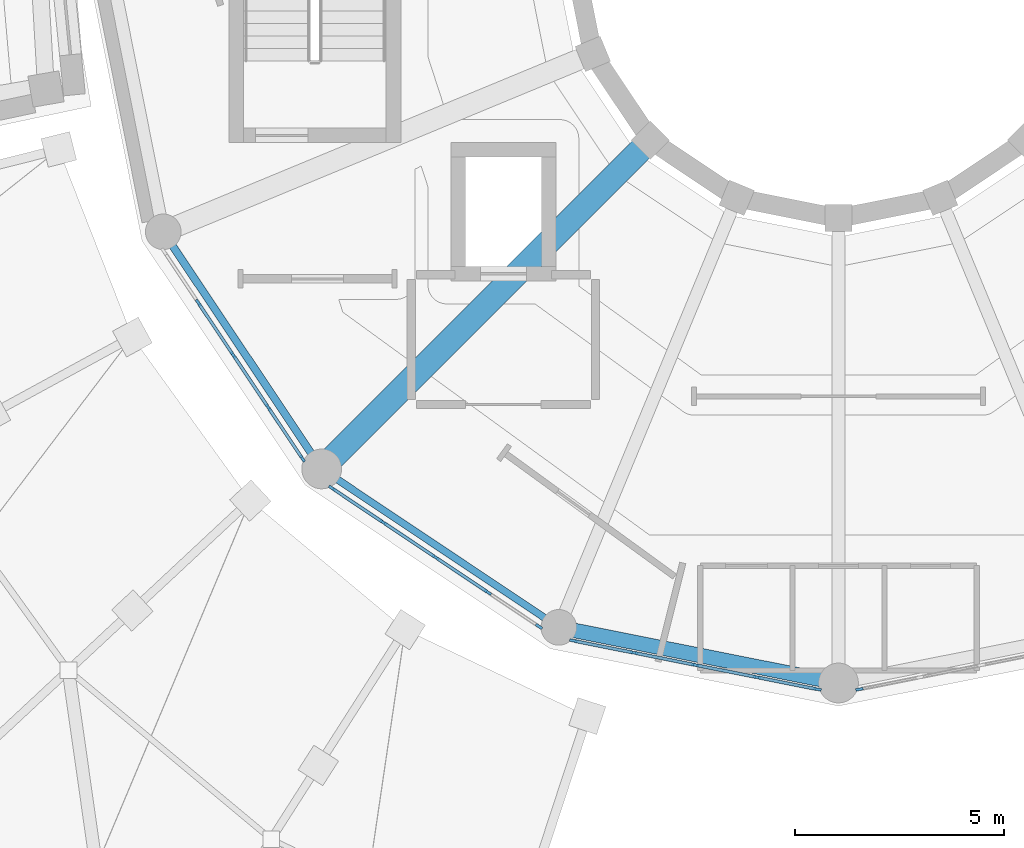
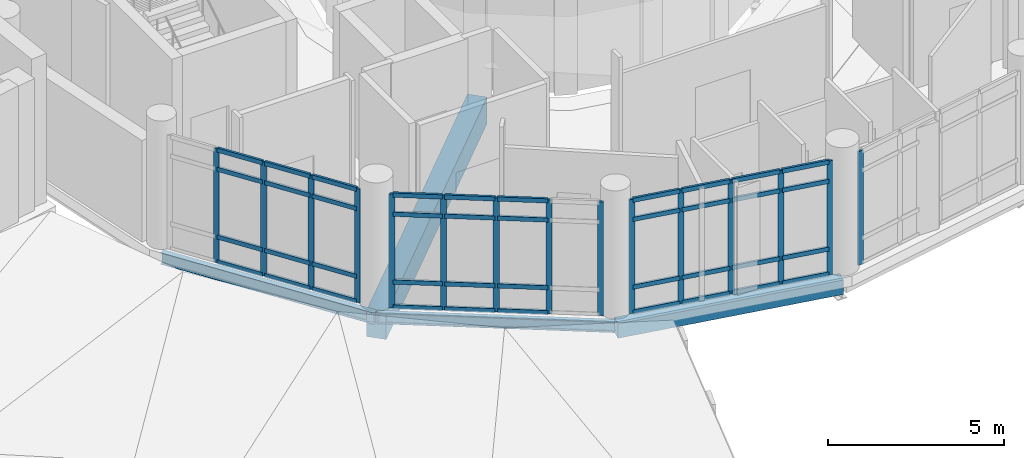
# One storey, part 8 of 75: 55 members, 4 beams, 4 elements without a shape of their own.
"""IFC4 building model written with IfcOpenShell, lengths in metres."""

import ifcopenshell
import ifcopenshell.guid

model = None  # the IFC model being written
_history = None  # IfcOwnerHistory: only IFC2X3 demands one
_inside = {}  # id of a spatial element -> (the spatial element, [elements in it])
_under = {}  # id of a project, library or spatial element -> (it, [spatial elements below it])
_declared = {}  # id of a project -> (the project, [libraries it declares])
_typed = {}  # id of a type object -> (the type object, [elements of that type])
_made_of = {}  # id of a material, layer set ... -> (it, [elements and type objects made of it])


def new_model(schema):
    """Start an empty IFC model of exactly this schema.

    Asked for "IFC4X3", IfcOpenShell would pick the latest addendum, in which some entities
    have other attributes; the version numbers below select the first issue.
    IFC2X3 requires an IfcOwnerHistory on every rooted entity: one is made here for all.
    """
    global model, _history
    if schema == "IFC4X3":
        model = ifcopenshell.file(schema_version=(4, 3, 0, 0))
    else:
        model = ifcopenshell.file(schema=schema)
    _inside.clear()
    _under.clear()
    _declared.clear()
    _typed.clear()
    _made_of.clear()
    _history = None
    if model.schema == "IFC2X3":
        org = make("IfcOrganization", Name="unknown")
        user = make(
            "IfcPersonAndOrganization",
            ThePerson=make("IfcPerson", FamilyName="unknown"),
            TheOrganization=org,
        )
        app = make(
            "IfcApplication",
            ApplicationDeveloper=org,
            Version="unknown",
            ApplicationFullName="unknown",
            ApplicationIdentifier="unknown",
        )
        _history = make(
            "IfcOwnerHistory",
            OwningUser=user,
            OwningApplication=app,
            ChangeAction="ADDED",
            CreationDate=0,
        )
    return model


def make(cls, **values):
    """One entity of the class cls with the attributes given. An attribute that is None is left unset."""
    return model.create_entity(
        cls, **{name: value for name, value in values.items() if value is not None}
    )


def rooted(cls, **values):
    """An entity with a GlobalId (a new one), such as an element, a storey or a relation."""
    return make(cls, GlobalId=ifcopenshell.guid.new(), OwnerHistory=_history, **values)


def si_unit(unit_type, name, prefix=None):
    """IfcSIUnit, for example si_unit("LENGTHUNIT", "METRE", prefix="MILLI")."""
    return make("IfcSIUnit", UnitType=unit_type, Prefix=prefix, Name=name)


def assignment(units):
    """IfcUnitAssignment: the units of a project."""
    return None if units is None else make("IfcUnitAssignment", Units=units)


def point(xyz):
    """IfcCartesianPoint."""
    return None if xyz is None else make("IfcCartesianPoint", Coordinates=xyz)


def direction(xyz):
    """IfcDirection."""
    return None if xyz is None else make("IfcDirection", DirectionRatios=xyz)


def frame(location, z_axis=None, x_axis=None):
    """IfcAxis2Placement3D, a coordinate frame: its origin and axes. An axis left out is left unset."""
    return make(
        "IfcAxis2Placement3D",
        Location=point(location),
        Axis=direction(z_axis),
        RefDirection=direction(x_axis),
    )


def frame_2d(location, x_axis=None):
    """IfcAxis2Placement2D, a coordinate frame in the plane: its origin and x axis."""
    return make(
        "IfcAxis2Placement2D", Location=point(location), RefDirection=direction(x_axis)
    )


def origin():
    """The frame at (0, 0, 0) with its axes left unset."""
    return frame((0.0, 0.0, 0.0))


def origin_2d():
    """The frame at (0, 0) in the plane with its x axis left unset."""
    return frame_2d((0.0, 0.0))


def place(relative_to, where):
    """IfcLocalPlacement: puts the frame where relative to a parent placement (None: the world)."""
    return make(
        "IfcLocalPlacement", PlacementRelTo=relative_to, RelativePlacement=where
    )


def context(
    kind, dimensions, precision=None, world=None, true_north=None, identifier=None
):
    """IfcGeometricRepresentationContext, for example the 3D "Model" context."""
    return make(
        "IfcGeometricRepresentationContext",
        ContextIdentifier=identifier,
        ContextType=kind,
        CoordinateSpaceDimension=dimensions,
        Precision=precision,
        WorldCoordinateSystem=world,
        TrueNorth=true_north,
    )


def subcontext(parent, identifier, kind, view, scale=None):
    """IfcGeometricRepresentationSubContext, for example "Body" below "Model"."""
    return make(
        "IfcGeometricRepresentationSubContext",
        ContextIdentifier=identifier,
        ContextType=kind,
        ParentContext=parent,
        TargetScale=scale,
        TargetView=view,
    )


def project(units=None, contexts=None):
    """IfcProject with its units and contexts."""
    return rooted(
        "IfcProject",
        Name="project",
        RepresentationContexts=contexts,
        UnitsInContext=assignment(units),
    )


def spatial(cls, under=None, at=None, **own):
    """A site, building, storey or space (cls), placed at a placement, below another one or the project."""
    s = rooted(cls, ObjectPlacement=at, **own)
    if under is not None:
        _under.setdefault(under.id(), (under, []))[1].append(s)
    return s


def profile(cls, at=None, kind="AREA", **sizes):
    """A parametric profile (cls). Its sizes go by their IFC names, for example OverallWidth=200.0."""
    return make(cls, ProfileType=kind, Position=at, **sizes)


def rectangle(**sizes):
    """IfcRectangleProfileDef."""
    return profile("IfcRectangleProfileDef", **sizes)


def i_section(**sizes):
    """IfcIShapeProfileDef."""
    return profile("IfcIShapeProfileDef", **sizes)


def extrude(swept, where, along, depth):
    """IfcExtrudedAreaSolid: the profile swept, set in the frame where, extruded along a direction by depth."""
    return make(
        "IfcExtrudedAreaSolid",
        SweptArea=swept,
        Position=where,
        ExtrudedDirection=direction(along),
        Depth=depth,
    )


def shape(context_of_items, identifier, shape_type, items):
    """IfcShapeRepresentation: the items that make up one representation, for example the "Body"."""
    return make(
        "IfcShapeRepresentation",
        ContextOfItems=context_of_items,
        RepresentationIdentifier=identifier,
        RepresentationType=shape_type,
        Items=items,
    )


def material(Name=None, Category=None):
    """IfcMaterial."""
    return make("IfcMaterial", Name=Name, Category=Category)


def material_profile(
    of_material, cross_section, Name=None, Category=None, Priority=None
):
    """IfcMaterialProfile: a cross section and its material."""
    return make(
        "IfcMaterialProfile",
        Name=Name,
        Material=of_material,
        Profile=cross_section,
        Priority=Priority,
        Category=Category,
    )


def profile_set(profiles, Name=None, composite=None):
    """IfcMaterialProfileSet."""
    return make(
        "IfcMaterialProfileSet",
        Name=Name,
        MaterialProfiles=profiles,
        CompositeProfile=composite,
    )


def made_of(thing, what):
    """Note that an element or type object is made of a material, layer set ...; save() writes the relation."""
    if what is not None:
        _made_of.setdefault(what.id(), (what, []))[1].append(thing)
    return thing


def type_object(cls, material=None, **own):
    """A type object (cls), such as IfcWallType, which elements share."""
    return made_of(rooted(cls, **own), material)


def element(
    cls,
    number,
    at=None,
    inside=None,
    cuts=None,
    type_object=None,
    material=None,
    context=None,
    identifier="Body",
    shape_type=None,
    held_by="IfcProductDefinitionShape",
    body=None,
    shapes=None,
    **own,
):
    """One element of the class cls, such as IfcWall. Its Tag is "e" and its number.

    at: its placement. inside: the storey or other place that contains it. cuts: it is an
    opening in that element (IfcRelVoidsElement). A single representation is given by context,
    identifier, shape_type and body (its items); several are given by shapes. held_by: the class
    of the entity that holds the representations. save() writes the other relations.
    """
    e = rooted(cls, Tag="e%d" % number, ObjectPlacement=at, **own)
    if body is not None:
        shapes = [shape(context, identifier, shape_type, body)]
    if shapes is not None:
        e.Representation = make(held_by, Representations=shapes)
    if inside is not None:
        _inside.setdefault(inside.id(), (inside, []))[1].append(e)
    if cuts is not None:
        rooted(
            "IfcRelVoidsElement", RelatingBuildingElement=cuts, RelatedOpeningElement=e
        )
    if type_object is not None:
        _typed.setdefault(type_object.id(), (type_object, []))[1].append(e)
    return made_of(e, material)


def aggregate(whole, parts):
    """IfcRelAggregates: a whole, such as a stair, and the parts it consists of."""
    return rooted("IfcRelAggregates", RelatingObject=whole, RelatedObjects=parts)


def save(model, path):
    """Write the relations noted so far, then the file.

    IfcRelAggregates (storeys below a building ...), IfcRelContainedInSpatialStructure (elements
    in a storey), IfcRelDefinesByType, IfcRelAssociatesMaterial and IfcRelDeclares: one each for
    every whole, place, type object, material and project.
    """
    for whole, parts in _under.values():
        aggregate(whole, parts)
    for where, things in _inside.values():
        rooted(
            "IfcRelContainedInSpatialStructure",
            RelatedElements=things,
            RelatingStructure=where,
        )
    for kind, things in _typed.values():
        rooted("IfcRelDefinesByType", RelatedObjects=things, RelatingType=kind)
    for what, things in _made_of.values():
        rooted("IfcRelAssociatesMaterial", RelatedObjects=things, RelatingMaterial=what)
    for by, libraries in _declared.values():
        rooted("IfcRelDeclares", RelatingContext=by, RelatedDefinitions=libraries)
    model.write(path)


model = new_model("IFC4")

# Units and contexts
model_context = context("Model", 3, precision=1e-05, world=origin(), true_north=direction((0.0, 1.0)))
body_context = subcontext(model_context, "Body", "Model", "MODEL_VIEW")
ifc_project = project(units=[si_unit("LENGTHUNIT", "METRE"), si_unit("AREAUNIT", "SQUARE_METRE"), si_unit("VOLUMEUNIT", "CUBIC_METRE"), si_unit("PLANEANGLEUNIT", "RADIAN"), si_unit("MASSUNIT", "GRAM", prefix="KILO")], contexts=[model_context])

# Site, building, storey
site_placement = place(None, origin())
site = spatial("IfcSite", under=ifc_project, at=site_placement, CompositionType="ELEMENT")
building_placement = place(site_placement, origin())
building = spatial("IfcBuilding", under=site, at=building_placement, Name="Soyqirgoq Riverine Aquarium", CompositionType="ELEMENT")
storey_placement = place(building_placement, frame((0.0, 0.0, 10.199951171875)))
storey = spatial("IfcBuildingStorey", under=building, at=storey_placement, Name="L03", CompositionType="ELEMENT", Elevation=10.199951171875)

# Curtain wall, members
ifc_material_1 = material(Name="Anodised aluminium thermally broken triple low-E glazing", Category="aluminium")
curtain_wall_type = type_object("IfcCurtainWallType", Name="CW_DrumGallery_Unitised", PredefinedType="NOTDEFINED", material=ifc_material_1)
curtain_wall_1_placement = place(storey_placement, origin())
curtain_wall_1 = element("IfcCurtainWall", 1, at=curtain_wall_1_placement, inside=storey, type_object=curtain_wall_type, Name="V1 L03 Curtain Wall 036", PredefinedType="NOTDEFINED")
ifc_material_2 = material(Name="Anodised aluminium 6063-T6", Category="aluminium")
ifc_material_profile_1 = material_profile(ifc_material_2, rectangle(XDim=0.06494140625, YDim=0.179931640625, at=origin_2d()), Name="ALU-M 65x180")
ifc_profile_set_1 = profile_set([ifc_material_profile_1], Name="Anodised aluminium 6063-T6")
member_type_1 = type_object("IfcMemberType", Name="CWMullion_65x180", PredefinedType="MULLION", material=ifc_profile_set_1)
member_1_placement = place(storey_placement, frame((40.715087890625, 48.62841796875, 0.0), z_axis=(0.0, 0.0, 1.0), x_axis=(0.831468565541, 0.555571799605, 0.0)))
member_1 = element("IfcMember", 2, at=member_1_placement, type_object=member_type_1, Name="CW-01 mullion 2", PredefinedType="MULLION", context=body_context, shape_type="SweptSolid", body=[
    extrude(rectangle(XDim=0.06494140625, YDim=0.179931640625, at=origin_2d()), origin(), (0.0, 0.0, 1.0), 3.949951171875),
])
member_2_placement = place(storey_placement, frame((41.549560546875, 47.379638671875, 0.0), z_axis=(0.0, 0.0, 1.0), x_axis=(0.831468565541, 0.555571799605, 0.0)))
member_2 = element("IfcMember", 3, at=member_2_placement, type_object=member_type_1, Name="CW-01 mullion 3", PredefinedType="MULLION", context=body_context, shape_type="SweptSolid", body=[
    extrude(rectangle(XDim=0.06494140625, YDim=0.179931640625, at=origin_2d()), origin(), (0.0, 0.0, 1.0), 3.949951171875),
])
member_3_placement = place(storey_placement, frame((42.384033203125, 46.130615234375, 0.0), z_axis=(0.0, 0.0, 1.0), x_axis=(0.831468565541, 0.555571799605, 0.0)))
member_3 = element("IfcMember", 4, at=member_3_placement, type_object=member_type_1, Name="CW-01 mullion 4", PredefinedType="MULLION", context=body_context, shape_type="SweptSolid", body=[
    extrude(rectangle(XDim=0.06494140625, YDim=0.179931640625, at=origin_2d()), origin(), (0.0, 0.0, 1.0), 3.949951171875),
])
member_4_placement = place(storey_placement, frame((43.200439453125, 44.908935546875, 0.0), z_axis=(0.0, 0.0, 1.0), x_axis=(0.831468565541, 0.555571799605, 0.0)))
member_4 = element("IfcMember", 5, at=member_4_placement, type_object=member_type_1, Name="CW-01 mullion 5", PredefinedType="MULLION", context=body_context, shape_type="SweptSolid", body=[
    extrude(rectangle(XDim=0.06494140625, YDim=0.179931640625, at=origin_2d()), origin(), (0.0, 0.0, 1.0), 3.949951171875),
])

curtain_wall_2_placement = place(storey_placement, origin())
curtain_wall_2 = element("IfcCurtainWall", 6, at=curtain_wall_2_placement, inside=storey, type_object=curtain_wall_type, Name="V1 L03 Curtain Wall 043", PredefinedType="NOTDEFINED")
member_5_placement = place(storey_placement, frame((43.908935546875, 44.200439453125, 0.0), z_axis=(0.0, 0.0, 1.0), x_axis=(0.555571799605, 0.831468565541, 0.0)))
member_5 = element("IfcMember", 7, at=member_5_placement, type_object=member_type_1, Name="CW-01 mullion 1", PredefinedType="MULLION", context=body_context, shape_type="SweptSolid", body=[
    extrude(rectangle(XDim=0.06494140625, YDim=0.179931640625, at=origin_2d()), origin(), (0.0, 0.0, 1.0), 3.949951171875),
])
member_6_placement = place(storey_placement, frame((45.130615234375, 43.384033203125, 0.0), z_axis=(0.0, 0.0, 1.0), x_axis=(0.555571799605, 0.831468565541, 0.0)))
member_6 = element("IfcMember", 8, at=member_6_placement, type_object=member_type_1, Name="CW-01 mullion 2", PredefinedType="MULLION", context=body_context, shape_type="SweptSolid", body=[
    extrude(rectangle(XDim=0.06494140625, YDim=0.179931640625, at=origin_2d()), origin(), (0.0, 0.0, 1.0), 3.949951171875),
])
member_7_placement = place(storey_placement, frame((46.379638671875, 42.549560546875, 0.0), z_axis=(0.0, 0.0, 1.0), x_axis=(0.555571799605, 0.831468565541, 0.0)))
member_7 = element("IfcMember", 9, at=member_7_placement, type_object=member_type_1, Name="CW-01 mullion 3", PredefinedType="MULLION", context=body_context, shape_type="SweptSolid", body=[
    extrude(rectangle(XDim=0.06494140625, YDim=0.179931640625, at=origin_2d()), origin(), (0.0, 0.0, 1.0), 3.949951171875),
])
member_8_placement = place(storey_placement, frame((47.62841796875, 41.715087890625, 0.0), z_axis=(0.0, 0.0, 1.0), x_axis=(0.555571799605, 0.831468565541, 0.0)))
member_8 = element("IfcMember", 10, at=member_8_placement, type_object=member_type_1, Name="CW-01 mullion 4", PredefinedType="MULLION", context=body_context, shape_type="SweptSolid", body=[
    extrude(rectangle(XDim=0.06494140625, YDim=0.179931640625, at=origin_2d()), origin(), (0.0, 0.0, 1.0), 3.949951171875),
])
member_9_placement = place(storey_placement, frame((48.850341796875, 40.898681640625, 0.0), z_axis=(0.0, 0.0, 1.0), x_axis=(0.555571799605, 0.831468565541, 0.0)))
member_9 = element("IfcMember", 11, at=member_9_placement, type_object=member_type_1, Name="CW-01 mullion 5", PredefinedType="MULLION", context=body_context, shape_type="SweptSolid", body=[
    extrude(rectangle(XDim=0.06494140625, YDim=0.179931640625, at=origin_2d()), origin(), (0.0, 0.0, 1.0), 3.949951171875),
])

curtain_wall_3_placement = place(storey_placement, origin())
curtain_wall_3 = element("IfcCurtainWall", 12, at=curtain_wall_3_placement, inside=storey, type_object=curtain_wall_type, Name="V1 L03 Curtain Wall 050", PredefinedType="NOTDEFINED")
member_10_placement = place(storey_placement, frame((49.67041015625, 40.55908203125, 0.0), z_axis=(0.0, 0.0, 1.0), x_axis=(0.195094927919, 0.980784364221, 0.0)))
member_10 = element("IfcMember", 13, at=member_10_placement, type_object=member_type_1, Name="CW-01 mullion 1", PredefinedType="MULLION", context=body_context, shape_type="SweptSolid", body=[
    extrude(rectangle(XDim=0.06494140625, YDim=0.179931640625, at=origin_2d()), origin(), (0.0, 0.0, 1.0), 3.949951171875),
])
member_11_placement = place(storey_placement, frame((51.111572265625, 40.2724609375, 0.0), z_axis=(0.0, 0.0, 1.0), x_axis=(0.195094927919, 0.980784364221, 0.0)))
member_11 = element("IfcMember", 14, at=member_11_placement, type_object=member_type_1, Name="CW-01 mullion 2", PredefinedType="MULLION", context=body_context, shape_type="SweptSolid", body=[
    extrude(rectangle(XDim=0.06494140625, YDim=0.179931640625, at=origin_2d()), origin(), (0.0, 0.0, 1.0), 3.949951171875),
])
member_12_placement = place(storey_placement, frame((52.584716796875, 39.979248046875, 0.0), z_axis=(0.0, 0.0, 1.0), x_axis=(0.195094927919, 0.980784364221, 0.0)))
member_12 = element("IfcMember", 15, at=member_12_placement, type_object=member_type_1, Name="CW-01 mullion 3", PredefinedType="MULLION", context=body_context, shape_type="SweptSolid", body=[
    extrude(rectangle(XDim=0.06494140625, YDim=0.179931640625, at=origin_2d()), origin(), (0.0, 0.0, 1.0), 3.949951171875),
])
member_13_placement = place(storey_placement, frame((54.057861328125, 39.686279296875, 0.0), z_axis=(0.0, 0.0, 1.0), x_axis=(0.195094927919, 0.980784364221, 0.0)))
member_13 = element("IfcMember", 16, at=member_13_placement, type_object=member_type_1, Name="CW-01 mullion 4", PredefinedType="MULLION", context=body_context, shape_type="SweptSolid", body=[
    extrude(rectangle(XDim=0.06494140625, YDim=0.179931640625, at=origin_2d()), origin(), (0.0, 0.0, 1.0), 3.949951171875),
])
member_14_placement = place(storey_placement, frame((55.4990234375, 39.399658203125, 0.0), z_axis=(0.0, 0.0, 1.0), x_axis=(0.195094927919, 0.980784364221, 0.0)))
member_14 = element("IfcMember", 17, at=member_14_placement, type_object=member_type_1, Name="CW-01 mullion 5", PredefinedType="MULLION", context=body_context, shape_type="SweptSolid", body=[
    extrude(rectangle(XDim=0.06494140625, YDim=0.179931640625, at=origin_2d()), origin(), (0.0, 0.0, 1.0), 3.949951171875),
])

# Curtain wall, member
curtain_wall_4_placement = place(storey_placement, origin())
curtain_wall_4 = element("IfcCurtainWall", 18, at=curtain_wall_4_placement, inside=storey, type_object=curtain_wall_type, Name="V1 L03 Curtain Wall 057", PredefinedType="NOTDEFINED")
member_15_placement = place(storey_placement, frame((56.5009765625, 39.399658203125, 0.0), z_axis=(0.0, 0.0, 1.0), x_axis=(-0.195094927919, 0.980784364221, 0.0)))
member_15 = element("IfcMember", 19, at=member_15_placement, type_object=member_type_1, Name="CW-01 mullion 1", PredefinedType="MULLION", context=body_context, shape_type="SweptSolid", body=[
    extrude(rectangle(XDim=0.06494140625, YDim=0.179931640625, at=origin_2d()), origin(), (0.0, 0.0, 1.0), 3.949951171875),
])
aggregate(curtain_wall_4, [member_15])

# Member
ifc_material_3 = material(Name="Anodised aluminium 6063-T6", Category="aluminium")
ifc_material_profile_2 = material_profile(ifc_material_3, rectangle(XDim=0.074951171875, YDim=0.14990234375, at=origin_2d()), Name="ALU-T 75x150")
ifc_profile_set_2 = profile_set([ifc_material_profile_2], Name="Anodised aluminium 6063-T6")
member_type_2 = type_object("IfcMemberType", Name="CWTransom_75x150", PredefinedType="USERDEFINED", material=ifc_profile_set_2)
member_16_placement = place(storey_placement, frame((40.733154296875, 48.601318359375, 0.03759765625), z_axis=(0.55556245102, -0.831474812016, 0.0), x_axis=(0.831474812016, 0.55556245102, 0.0)))
member_16 = element("IfcMember", 20, at=member_16_placement, type_object=member_type_2, Name="CW-01 transom 2.1", ObjectType="TRANSOM", PredefinedType="USERDEFINED", context=body_context, shape_type="SweptSolid", body=[
    extrude(rectangle(XDim=0.074951171875, YDim=0.14990234375, at=origin_2d()), origin(), (0.0, 0.0, 1.0), 1.43701171875),
])

member_17_placement = place(storey_placement, frame((40.733154296875, 48.601318359375, 0.900146484375), z_axis=(0.55556245102, -0.831474812016, 0.0), x_axis=(0.831474812016, 0.55556245102, 0.0)))
member_17 = element("IfcMember", 21, at=member_17_placement, type_object=member_type_2, Name="CW-01 transom 2.2", ObjectType="TRANSOM", PredefinedType="USERDEFINED", context=body_context, shape_type="SweptSolid", body=[
    extrude(rectangle(XDim=0.074951171875, YDim=0.14990234375, at=origin_2d()), origin(), (0.0, 0.0, 1.0), 1.43701171875),
])

member_18_placement = place(storey_placement, frame((40.733154296875, 48.601318359375, 3.25), z_axis=(0.55556245102, -0.831474812016, 0.0), x_axis=(0.831474812016, 0.55556245102, 0.0)))
member_18 = element("IfcMember", 22, at=member_18_placement, type_object=member_type_2, Name="CW-01 transom 2.3", ObjectType="TRANSOM", PredefinedType="USERDEFINED", context=body_context, shape_type="SweptSolid", body=[
    extrude(rectangle(XDim=0.074951171875, YDim=0.14990234375, at=origin_2d()), origin(), (0.0, 0.0, 1.0), 1.43701171875),
])

member_19_placement = place(storey_placement, frame((40.733154296875, 48.601318359375, 3.91259765625), z_axis=(0.55556245102, -0.831474812016, 0.0), x_axis=(0.831474812016, 0.55556245102, 0.0)))
member_19 = element("IfcMember", 23, at=member_19_placement, type_object=member_type_2, Name="CW-01 transom 2.4", ObjectType="TRANSOM", PredefinedType="USERDEFINED", context=body_context, shape_type="SweptSolid", body=[
    extrude(rectangle(XDim=0.074951171875, YDim=0.14990234375, at=origin_2d()), origin(), (0.0, 0.0, 1.0), 1.43701171875),
])

member_20_placement = place(storey_placement, frame((41.567626953125, 47.3525390625, 0.03759765625), z_axis=(0.55556245102, -0.831474812016, 0.0), x_axis=(0.831474812016, 0.55556245102, 0.0)))
member_20 = element("IfcMember", 24, at=member_20_placement, type_object=member_type_2, Name="CW-01 transom 3.1", ObjectType="TRANSOM", PredefinedType="USERDEFINED", context=body_context, shape_type="SweptSolid", body=[
    extrude(rectangle(XDim=0.074951171875, YDim=0.14990234375, at=origin_2d()), origin(), (0.0, 0.0, 1.0), 1.43701171875),
])

member_21_placement = place(storey_placement, frame((41.567626953125, 47.3525390625, 0.900146484375), z_axis=(0.55556245102, -0.831474812016, 0.0), x_axis=(0.831474812016, 0.55556245102, 0.0)))
member_21 = element("IfcMember", 25, at=member_21_placement, type_object=member_type_2, Name="CW-01 transom 3.2", ObjectType="TRANSOM", PredefinedType="USERDEFINED", context=body_context, shape_type="SweptSolid", body=[
    extrude(rectangle(XDim=0.074951171875, YDim=0.14990234375, at=origin_2d()), origin(), (0.0, 0.0, 1.0), 1.43701171875),
])

member_22_placement = place(storey_placement, frame((41.567626953125, 47.3525390625, 3.25), z_axis=(0.55556245102, -0.831474812016, 0.0), x_axis=(0.831474812016, 0.55556245102, 0.0)))
member_22 = element("IfcMember", 26, at=member_22_placement, type_object=member_type_2, Name="CW-01 transom 3.3", ObjectType="TRANSOM", PredefinedType="USERDEFINED", context=body_context, shape_type="SweptSolid", body=[
    extrude(rectangle(XDim=0.074951171875, YDim=0.14990234375, at=origin_2d()), origin(), (0.0, 0.0, 1.0), 1.43701171875),
])

member_23_placement = place(storey_placement, frame((41.567626953125, 47.3525390625, 3.91259765625), z_axis=(0.55556245102, -0.831474812016, 0.0), x_axis=(0.831474812016, 0.55556245102, 0.0)))
member_23 = element("IfcMember", 27, at=member_23_placement, type_object=member_type_2, Name="CW-01 transom 3.4", ObjectType="TRANSOM", PredefinedType="USERDEFINED", context=body_context, shape_type="SweptSolid", body=[
    extrude(rectangle(XDim=0.074951171875, YDim=0.14990234375, at=origin_2d()), origin(), (0.0, 0.0, 1.0), 1.43701171875),
])

member_24_placement = place(storey_placement, frame((42.402099609375, 46.103759765625, 0.03759765625), z_axis=(0.555502146192, -0.831515102434, 0.0), x_axis=(0.831515102434, 0.555502146192, 0.0)))
member_24 = element("IfcMember", 28, at=member_24_placement, type_object=member_type_2, Name="CW-01 transom 4.1", ObjectType="TRANSOM", PredefinedType="USERDEFINED", context=body_context, shape_type="SweptSolid", body=[
    extrude(rectangle(XDim=0.074951171875, YDim=0.14990234375, at=origin_2d()), origin(), (0.0, 0.0, 1.0), 1.404541015625),
])

member_25_placement = place(storey_placement, frame((42.402099609375, 46.103759765625, 0.900146484375), z_axis=(0.555502146192, -0.831515102434, 0.0), x_axis=(0.831515102434, 0.555502146192, 0.0)))
member_25 = element("IfcMember", 29, at=member_25_placement, type_object=member_type_2, Name="CW-01 transom 4.2", ObjectType="TRANSOM", PredefinedType="USERDEFINED", context=body_context, shape_type="SweptSolid", body=[
    extrude(rectangle(XDim=0.074951171875, YDim=0.14990234375, at=origin_2d()), origin(), (0.0, 0.0, 1.0), 1.404541015625),
])

member_26_placement = place(storey_placement, frame((42.402099609375, 46.103759765625, 3.25), z_axis=(0.555502146192, -0.831515102434, 0.0), x_axis=(0.831515102434, 0.555502146192, 0.0)))
member_26 = element("IfcMember", 30, at=member_26_placement, type_object=member_type_2, Name="CW-01 transom 4.3", ObjectType="TRANSOM", PredefinedType="USERDEFINED", context=body_context, shape_type="SweptSolid", body=[
    extrude(rectangle(XDim=0.074951171875, YDim=0.14990234375, at=origin_2d()), origin(), (0.0, 0.0, 1.0), 1.404541015625),
])

member_27_placement = place(storey_placement, frame((42.402099609375, 46.103759765625, 3.91259765625), z_axis=(0.555502146192, -0.831515102434, 0.0), x_axis=(0.831515102434, 0.555502146192, 0.0)))
member_27 = element("IfcMember", 31, at=member_27_placement, type_object=member_type_2, Name="CW-01 transom 4.4", ObjectType="TRANSOM", PredefinedType="USERDEFINED", context=body_context, shape_type="SweptSolid", body=[
    extrude(rectangle(XDim=0.074951171875, YDim=0.14990234375, at=origin_2d()), origin(), (0.0, 0.0, 1.0), 1.404541015625),
])

aggregate(curtain_wall_1, [member_1, member_2, member_3, member_4, member_16, member_17, member_18, member_19, member_20, member_21, member_22, member_23, member_24, member_25, member_26, member_27])

member_28_placement = place(storey_placement, frame((43.935791015625, 44.182373046875, 0.03759765625), z_axis=(0.831515102434, -0.555502146192, 0.0), x_axis=(0.555502146192, 0.831515102434, 0.0)))
member_28 = element("IfcMember", 32, at=member_28_placement, type_object=member_type_2, Name="CW-01 transom 1.1", ObjectType="TRANSOM", PredefinedType="USERDEFINED", context=body_context, shape_type="SweptSolid", body=[
    extrude(rectangle(XDim=0.074951171875, YDim=0.14990234375, at=origin_2d()), origin(), (0.0, 0.0, 1.0), 1.404541015625),
])

member_29_placement = place(storey_placement, frame((43.935791015625, 44.182373046875, 0.900146484375), z_axis=(0.831515102434, -0.555502146192, 0.0), x_axis=(0.555502146192, 0.831515102434, 0.0)))
member_29 = element("IfcMember", 33, at=member_29_placement, type_object=member_type_2, Name="CW-01 transom 1.2", ObjectType="TRANSOM", PredefinedType="USERDEFINED", context=body_context, shape_type="SweptSolid", body=[
    extrude(rectangle(XDim=0.074951171875, YDim=0.14990234375, at=origin_2d()), origin(), (0.0, 0.0, 1.0), 1.404541015625),
])

member_30_placement = place(storey_placement, frame((43.935791015625, 44.182373046875, 3.25), z_axis=(0.831515102434, -0.555502146192, 0.0), x_axis=(0.555502146192, 0.831515102434, 0.0)))
member_30 = element("IfcMember", 34, at=member_30_placement, type_object=member_type_2, Name="CW-01 transom 1.3", ObjectType="TRANSOM", PredefinedType="USERDEFINED", context=body_context, shape_type="SweptSolid", body=[
    extrude(rectangle(XDim=0.074951171875, YDim=0.14990234375, at=origin_2d()), origin(), (0.0, 0.0, 1.0), 1.404541015625),
])

member_31_placement = place(storey_placement, frame((43.935791015625, 44.182373046875, 3.91259765625), z_axis=(0.831515102434, -0.555502146192, 0.0), x_axis=(0.555502146192, 0.831515102434, 0.0)))
member_31 = element("IfcMember", 35, at=member_31_placement, type_object=member_type_2, Name="CW-01 transom 1.4", ObjectType="TRANSOM", PredefinedType="USERDEFINED", context=body_context, shape_type="SweptSolid", body=[
    extrude(rectangle(XDim=0.074951171875, YDim=0.14990234375, at=origin_2d()), origin(), (0.0, 0.0, 1.0), 1.404541015625),
])

member_32_placement = place(storey_placement, frame((45.15771484375, 43.365966796875, 0.03759765625), z_axis=(0.831474812016, -0.55556245102, 0.0), x_axis=(0.55556245102, 0.831474812016, 0.0)))
member_32 = element("IfcMember", 36, at=member_32_placement, type_object=member_type_2, Name="CW-01 transom 2.1", ObjectType="TRANSOM", PredefinedType="USERDEFINED", context=body_context, shape_type="SweptSolid", body=[
    extrude(rectangle(XDim=0.074951171875, YDim=0.14990234375, at=origin_2d()), origin(), (0.0, 0.0, 1.0), 1.43701171875),
])

member_33_placement = place(storey_placement, frame((45.15771484375, 43.365966796875, 0.900146484375), z_axis=(0.831474812016, -0.55556245102, 0.0), x_axis=(0.55556245102, 0.831474812016, 0.0)))
member_33 = element("IfcMember", 37, at=member_33_placement, type_object=member_type_2, Name="CW-01 transom 2.2", ObjectType="TRANSOM", PredefinedType="USERDEFINED", context=body_context, shape_type="SweptSolid", body=[
    extrude(rectangle(XDim=0.074951171875, YDim=0.14990234375, at=origin_2d()), origin(), (0.0, 0.0, 1.0), 1.43701171875),
])

member_34_placement = place(storey_placement, frame((45.15771484375, 43.365966796875, 3.25), z_axis=(0.831474812016, -0.55556245102, 0.0), x_axis=(0.55556245102, 0.831474812016, 0.0)))
member_34 = element("IfcMember", 38, at=member_34_placement, type_object=member_type_2, Name="CW-01 transom 2.3", ObjectType="TRANSOM", PredefinedType="USERDEFINED", context=body_context, shape_type="SweptSolid", body=[
    extrude(rectangle(XDim=0.074951171875, YDim=0.14990234375, at=origin_2d()), origin(), (0.0, 0.0, 1.0), 1.43701171875),
])

member_35_placement = place(storey_placement, frame((45.15771484375, 43.365966796875, 3.91259765625), z_axis=(0.831474812016, -0.55556245102, 0.0), x_axis=(0.55556245102, 0.831474812016, 0.0)))
member_35 = element("IfcMember", 39, at=member_35_placement, type_object=member_type_2, Name="CW-01 transom 2.4", ObjectType="TRANSOM", PredefinedType="USERDEFINED", context=body_context, shape_type="SweptSolid", body=[
    extrude(rectangle(XDim=0.074951171875, YDim=0.14990234375, at=origin_2d()), origin(), (0.0, 0.0, 1.0), 1.43701171875),
])

member_36_placement = place(storey_placement, frame((46.406494140625, 42.531494140625, 0.03759765625), z_axis=(0.831474812016, -0.55556245102, 0.0), x_axis=(0.55556245102, 0.831474812016, 0.0)))
member_36 = element("IfcMember", 40, at=member_36_placement, type_object=member_type_2, Name="CW-01 transom 3.1", ObjectType="TRANSOM", PredefinedType="USERDEFINED", context=body_context, shape_type="SweptSolid", body=[
    extrude(rectangle(XDim=0.074951171875, YDim=0.14990234375, at=origin_2d()), origin(), (0.0, 0.0, 1.0), 1.43701171875),
])

member_37_placement = place(storey_placement, frame((46.406494140625, 42.531494140625, 0.900146484375), z_axis=(0.831474812016, -0.55556245102, 0.0), x_axis=(0.55556245102, 0.831474812016, 0.0)))
member_37 = element("IfcMember", 41, at=member_37_placement, type_object=member_type_2, Name="CW-01 transom 3.2", ObjectType="TRANSOM", PredefinedType="USERDEFINED", context=body_context, shape_type="SweptSolid", body=[
    extrude(rectangle(XDim=0.074951171875, YDim=0.14990234375, at=origin_2d()), origin(), (0.0, 0.0, 1.0), 1.43701171875),
])

member_38_placement = place(storey_placement, frame((46.406494140625, 42.531494140625, 3.25), z_axis=(0.831474812016, -0.55556245102, 0.0), x_axis=(0.55556245102, 0.831474812016, 0.0)))
member_38 = element("IfcMember", 42, at=member_38_placement, type_object=member_type_2, Name="CW-01 transom 3.3", ObjectType="TRANSOM", PredefinedType="USERDEFINED", context=body_context, shape_type="SweptSolid", body=[
    extrude(rectangle(XDim=0.074951171875, YDim=0.14990234375, at=origin_2d()), origin(), (0.0, 0.0, 1.0), 1.43701171875),
])

member_39_placement = place(storey_placement, frame((46.406494140625, 42.531494140625, 3.91259765625), z_axis=(0.831474812016, -0.55556245102, 0.0), x_axis=(0.55556245102, 0.831474812016, 0.0)))
member_39 = element("IfcMember", 43, at=member_39_placement, type_object=member_type_2, Name="CW-01 transom 3.4", ObjectType="TRANSOM", PredefinedType="USERDEFINED", context=body_context, shape_type="SweptSolid", body=[
    extrude(rectangle(XDim=0.074951171875, YDim=0.14990234375, at=origin_2d()), origin(), (0.0, 0.0, 1.0), 1.43701171875),
])

aggregate(curtain_wall_2, [member_5, member_6, member_7, member_8, member_9, member_28, member_29, member_30, member_31, member_32, member_33, member_34, member_35, member_36, member_37, member_38, member_39])

member_40_placement = place(storey_placement, frame((49.7021484375, 40.552734375, 0.03759765625), z_axis=(0.98080065826, -0.195012996379, 0.0), x_axis=(0.195012996379, 0.98080065826, 0.0)))
member_40 = element("IfcMember", 44, at=member_40_placement, type_object=member_type_2, Name="CW-01 transom 1.1", ObjectType="TRANSOM", PredefinedType="USERDEFINED", context=body_context, shape_type="SweptSolid", body=[
    extrude(rectangle(XDim=0.074951171875, YDim=0.14990234375, at=origin_2d()), origin(), (0.0, 0.0, 1.0), 1.404541015625),
])

member_41_placement = place(storey_placement, frame((49.7021484375, 40.552734375, 0.900146484375), z_axis=(0.98080065826, -0.195012996379, 0.0), x_axis=(0.195012996379, 0.98080065826, 0.0)))
member_41 = element("IfcMember", 45, at=member_41_placement, type_object=member_type_2, Name="CW-01 transom 1.2", ObjectType="TRANSOM", PredefinedType="USERDEFINED", context=body_context, shape_type="SweptSolid", body=[
    extrude(rectangle(XDim=0.074951171875, YDim=0.14990234375, at=origin_2d()), origin(), (0.0, 0.0, 1.0), 1.404541015625),
])

member_42_placement = place(storey_placement, frame((49.7021484375, 40.552734375, 3.25), z_axis=(0.98080065826, -0.195012996379, 0.0), x_axis=(0.195012996379, 0.98080065826, 0.0)))
member_42 = element("IfcMember", 46, at=member_42_placement, type_object=member_type_2, Name="CW-01 transom 1.3", ObjectType="TRANSOM", PredefinedType="USERDEFINED", context=body_context, shape_type="SweptSolid", body=[
    extrude(rectangle(XDim=0.074951171875, YDim=0.14990234375, at=origin_2d()), origin(), (0.0, 0.0, 1.0), 1.404541015625),
])

member_43_placement = place(storey_placement, frame((49.7021484375, 40.552734375, 3.91259765625), z_axis=(0.98080065826, -0.195012996379, 0.0), x_axis=(0.195012996379, 0.98080065826, 0.0)))
member_43 = element("IfcMember", 47, at=member_43_placement, type_object=member_type_2, Name="CW-01 transom 1.4", ObjectType="TRANSOM", PredefinedType="USERDEFINED", context=body_context, shape_type="SweptSolid", body=[
    extrude(rectangle(XDim=0.074951171875, YDim=0.14990234375, at=origin_2d()), origin(), (0.0, 0.0, 1.0), 1.404541015625),
])

member_44_placement = place(storey_placement, frame((51.1435546875, 40.26611328125, 0.03759765625), z_axis=(0.980756730309, -0.195233798185, 0.0), x_axis=(0.195233798185, 0.980756730309, 0.0)))
member_44 = element("IfcMember", 48, at=member_44_placement, type_object=member_type_2, Name="CW-01 transom 2.1", ObjectType="TRANSOM", PredefinedType="USERDEFINED", context=body_context, shape_type="SweptSolid", body=[
    extrude(rectangle(XDim=0.074951171875, YDim=0.14990234375, at=origin_2d()), origin(), (0.0, 0.0, 1.0), 1.436767578125),
])

member_45_placement = place(storey_placement, frame((51.1435546875, 40.26611328125, 0.900146484375), z_axis=(0.980756730309, -0.195233798185, 0.0), x_axis=(0.195233798185, 0.980756730309, 0.0)))
member_45 = element("IfcMember", 49, at=member_45_placement, type_object=member_type_2, Name="CW-01 transom 2.2", ObjectType="TRANSOM", PredefinedType="USERDEFINED", context=body_context, shape_type="SweptSolid", body=[
    extrude(rectangle(XDim=0.074951171875, YDim=0.14990234375, at=origin_2d()), origin(), (0.0, 0.0, 1.0), 1.436767578125),
])

member_46_placement = place(storey_placement, frame((51.1435546875, 40.26611328125, 3.25), z_axis=(0.980756730309, -0.195233798185, 0.0), x_axis=(0.195233798185, 0.980756730309, 0.0)))
member_46 = element("IfcMember", 50, at=member_46_placement, type_object=member_type_2, Name="CW-01 transom 2.3", ObjectType="TRANSOM", PredefinedType="USERDEFINED", context=body_context, shape_type="SweptSolid", body=[
    extrude(rectangle(XDim=0.074951171875, YDim=0.14990234375, at=origin_2d()), origin(), (0.0, 0.0, 1.0), 1.436767578125),
])

member_47_placement = place(storey_placement, frame((51.1435546875, 40.26611328125, 3.91259765625), z_axis=(0.980756730309, -0.195233798185, 0.0), x_axis=(0.195233798185, 0.980756730309, 0.0)))
member_47 = element("IfcMember", 51, at=member_47_placement, type_object=member_type_2, Name="CW-01 transom 2.4", ObjectType="TRANSOM", PredefinedType="USERDEFINED", context=body_context, shape_type="SweptSolid", body=[
    extrude(rectangle(XDim=0.074951171875, YDim=0.14990234375, at=origin_2d()), origin(), (0.0, 0.0, 1.0), 1.436767578125),
])

member_48_placement = place(storey_placement, frame((52.616455078125, 39.972900390625, 0.03759765625), z_axis=(0.980795717131, -0.195037845707, 0.0), x_axis=(0.195037845707, 0.980795717131, 0.0)))
member_48 = element("IfcMember", 52, at=member_48_placement, type_object=member_type_2, Name="CW-01 transom 3.1", ObjectType="TRANSOM", PredefinedType="USERDEFINED", context=body_context, shape_type="SweptSolid", body=[
    extrude(rectangle(XDim=0.074951171875, YDim=0.14990234375, at=origin_2d()), origin(), (0.0, 0.0, 1.0), 1.43701171875),
])

member_49_placement = place(storey_placement, frame((52.616455078125, 39.972900390625, 0.900146484375), z_axis=(0.980795717131, -0.195037845707, 0.0), x_axis=(0.195037845707, 0.980795717131, 0.0)))
member_49 = element("IfcMember", 53, at=member_49_placement, type_object=member_type_2, Name="CW-01 transom 3.2", ObjectType="TRANSOM", PredefinedType="USERDEFINED", context=body_context, shape_type="SweptSolid", body=[
    extrude(rectangle(XDim=0.074951171875, YDim=0.14990234375, at=origin_2d()), origin(), (0.0, 0.0, 1.0), 1.43701171875),
])

member_50_placement = place(storey_placement, frame((52.616455078125, 39.972900390625, 3.25), z_axis=(0.980795717131, -0.195037845707, 0.0), x_axis=(0.195037845707, 0.980795717131, 0.0)))
member_50 = element("IfcMember", 54, at=member_50_placement, type_object=member_type_2, Name="CW-01 transom 3.3", ObjectType="TRANSOM", PredefinedType="USERDEFINED", context=body_context, shape_type="SweptSolid", body=[
    extrude(rectangle(XDim=0.074951171875, YDim=0.14990234375, at=origin_2d()), origin(), (0.0, 0.0, 1.0), 1.43701171875),
])

member_51_placement = place(storey_placement, frame((52.616455078125, 39.972900390625, 3.91259765625), z_axis=(0.980795717131, -0.195037845707, 0.0), x_axis=(0.195037845707, 0.980795717131, 0.0)))
member_51 = element("IfcMember", 55, at=member_51_placement, type_object=member_type_2, Name="CW-01 transom 3.4", ObjectType="TRANSOM", PredefinedType="USERDEFINED", context=body_context, shape_type="SweptSolid", body=[
    extrude(rectangle(XDim=0.074951171875, YDim=0.14990234375, at=origin_2d()), origin(), (0.0, 0.0, 1.0), 1.43701171875),
])

member_52_placement = place(storey_placement, frame((54.089599609375, 39.679931640625, 0.03759765625), z_axis=(0.980794046625, -0.195046246068, 0.0), x_axis=(0.195046246068, 0.980794046625, 0.0)))
member_52 = element("IfcMember", 56, at=member_52_placement, type_object=member_type_2, Name="CW-01 transom 4.1", ObjectType="TRANSOM", PredefinedType="USERDEFINED", context=body_context, shape_type="SweptSolid", body=[
    extrude(rectangle(XDim=0.074951171875, YDim=0.14990234375, at=origin_2d()), origin(), (0.0, 0.0, 1.0), 1.404296875),
])

member_53_placement = place(storey_placement, frame((54.089599609375, 39.679931640625, 0.900146484375), z_axis=(0.980794046625, -0.195046246068, 0.0), x_axis=(0.195046246068, 0.980794046625, 0.0)))
member_53 = element("IfcMember", 57, at=member_53_placement, type_object=member_type_2, Name="CW-01 transom 4.2", ObjectType="TRANSOM", PredefinedType="USERDEFINED", context=body_context, shape_type="SweptSolid", body=[
    extrude(rectangle(XDim=0.074951171875, YDim=0.14990234375, at=origin_2d()), origin(), (0.0, 0.0, 1.0), 1.404296875),
])

member_54_placement = place(storey_placement, frame((54.089599609375, 39.679931640625, 3.25), z_axis=(0.980794046625, -0.195046246068, 0.0), x_axis=(0.195046246068, 0.980794046625, 0.0)))
member_54 = element("IfcMember", 58, at=member_54_placement, type_object=member_type_2, Name="CW-01 transom 4.3", ObjectType="TRANSOM", PredefinedType="USERDEFINED", context=body_context, shape_type="SweptSolid", body=[
    extrude(rectangle(XDim=0.074951171875, YDim=0.14990234375, at=origin_2d()), origin(), (0.0, 0.0, 1.0), 1.404296875),
])

member_55_placement = place(storey_placement, frame((54.089599609375, 39.679931640625, 3.91259765625), z_axis=(0.980794046625, -0.195046246068, 0.0), x_axis=(0.195046246068, 0.980794046625, 0.0)))
member_55 = element("IfcMember", 59, at=member_55_placement, type_object=member_type_2, Name="CW-01 transom 4.4", ObjectType="TRANSOM", PredefinedType="USERDEFINED", context=body_context, shape_type="SweptSolid", body=[
    extrude(rectangle(XDim=0.074951171875, YDim=0.14990234375, at=origin_2d()), origin(), (0.0, 0.0, 1.0), 1.404296875),
])

aggregate(curtain_wall_3, [member_10, member_11, member_12, member_13, member_14, member_40, member_41, member_42, member_43, member_44, member_45, member_46, member_47, member_48, member_49, member_50, member_51, member_52, member_53, member_54, member_55])

# Beams
ifc_material_4 = material(Name="Concrete C40/50", Category="concrete")
ifc_material_profile_3 = material_profile(ifc_material_4, rectangle(XDim=0.580078125, YDim=0.919921875, at=origin_2d()), Name="RC 580x920")
ifc_profile_set_3 = profile_set([ifc_material_profile_3], Name="Concrete C40/50")
beam_type_1 = type_object("IfcBeamType", Name="Girder_RC_580x920", PredefinedType="BEAM", material=ifc_profile_set_3)
beam_1_placement = place(storey_placement, frame((51.502685546875, 52.502685546875, -0.81005859375), z_axis=(-0.707106781187, -0.707106781187, 0.0), x_axis=(0.707106781187, -0.707106781187, 0.0)))
element("IfcBeam", 60, at=beam_1_placement, inside=storey, type_object=beam_type_1, Name="V1 L03 Gallery Radial Beam 0078", PredefinedType="BEAM", context=body_context, shape_type="SweptSolid", body=[
    extrude(rectangle(XDim=0.580078125, YDim=0.919921875, at=origin_2d()), origin(), (0.0, 0.0, 1.0), 11.07958984375),
])
ifc_material_5 = material(Name="Concrete C40/50", Category="concrete")
ifc_material_profile_4 = material_profile(ifc_material_5, rectangle(XDim=0.35009765625, YDim=0.5, at=origin_2d()), Name="RC 350x500")
ifc_profile_set_4 = profile_set([ifc_material_profile_4], Name="Concrete C40/50")
beam_type_2 = type_object("IfcBeamType", Name="Spandrel_RC_350x500", PredefinedType="SPANDREL", material=ifc_profile_set_4)
beam_2_placement = place(storey_placement, frame((49.341796875, 40.87451171875, -0.599853515625), z_axis=(0.980784073274, -0.195096390568, 0.0), x_axis=(0.195096390568, 0.980784073274, 0.0)))
element("IfcBeam", 61, at=beam_2_placement, inside=storey, type_object=beam_type_2, Name="V1 L03 Drum Spandrel Beam 0079", PredefinedType="SPANDREL", context=body_context, shape_type="SweptSolid", body=[
    extrude(rectangle(XDim=0.35009765625, YDim=0.5, at=origin_2d()), origin(), (0.0, 0.0, 1.0), 6.768798828125),
])
ifc_material_6 = material(Name="Structural steel S355", Category="steel")
ifc_material_profile_5 = material_profile(ifc_material_6, i_section(OverallWidth=0.169921875, OverallDepth=0.360107421875, WebThickness=0.008056640625, FlangeThickness=0.0126953125, FilletRadius=0.01806640625, at=origin_2d()), Name="IPE 360")
ifc_profile_set_5 = profile_set([ifc_material_profile_5], Name="Structural steel S355")
beam_type_3 = type_object("IfcBeamType", Name="Spandrel_Steel_IPE360", PredefinedType="SPANDREL", material=ifc_profile_set_5)
beam_3_placement = place(storey_placement, frame((43.677490234375, 44.64990234375, -0.530029296875), z_axis=(0.83147831173, -0.555557213186, 0.0), x_axis=(0.555557213186, 0.83147831173, 0.0)))
element("IfcBeam", 62, at=beam_3_placement, inside=storey, type_object=beam_type_3, Name="V1 L03 Drum Spandrel Beam 0077", PredefinedType="SPANDREL", context=body_context, shape_type="SweptSolid", body=[
    extrude(i_section(OverallWidth=0.169921875, OverallDepth=0.360107421875, WebThickness=0.008056640625, FlangeThickness=0.0126953125, FilletRadius=0.01806640625, at=origin_2d()), origin(), (0.0, 0.0, 1.0), 6.768798828125),
])
ifc_material_7 = material(Name="Structural steel S355", Category="steel")
ifc_material_profile_6 = material_profile(ifc_material_7, i_section(OverallWidth=0.179931640625, OverallDepth=0.39990234375, WebThickness=0.008544921875, FlangeThickness=0.013427734375, FilletRadius=0.02099609375, at=origin_2d()), Name="IPE 400")
ifc_profile_set_6 = profile_set([ifc_material_profile_6], Name="Structural steel S355")
beam_type_4 = type_object("IfcBeamType", Name="Spandrel_Steel_IPE400", PredefinedType="SPANDREL", material=ifc_profile_set_6)
beam_4_placement = place(storey_placement, frame((39.889404296875, 50.3056640625, -0.550048828125), z_axis=(0.555557213186, -0.83147831173, 0.0), x_axis=(0.83147831173, 0.555557213186, 0.0)))
element("IfcBeam", 63, at=beam_4_placement, inside=storey, type_object=beam_type_4, Name="V1 L03 Drum Spandrel Beam 0075", PredefinedType="SPANDREL", context=body_context, shape_type="SweptSolid", body=[
    extrude(i_section(OverallWidth=0.179931640625, OverallDepth=0.39990234375, WebThickness=0.008544921875, FlangeThickness=0.013427734375, FilletRadius=0.02099609375, at=origin_2d()), origin(), (0.0, 0.0, 1.0), 6.768798828125),
])

save(model, "model.ifc")
